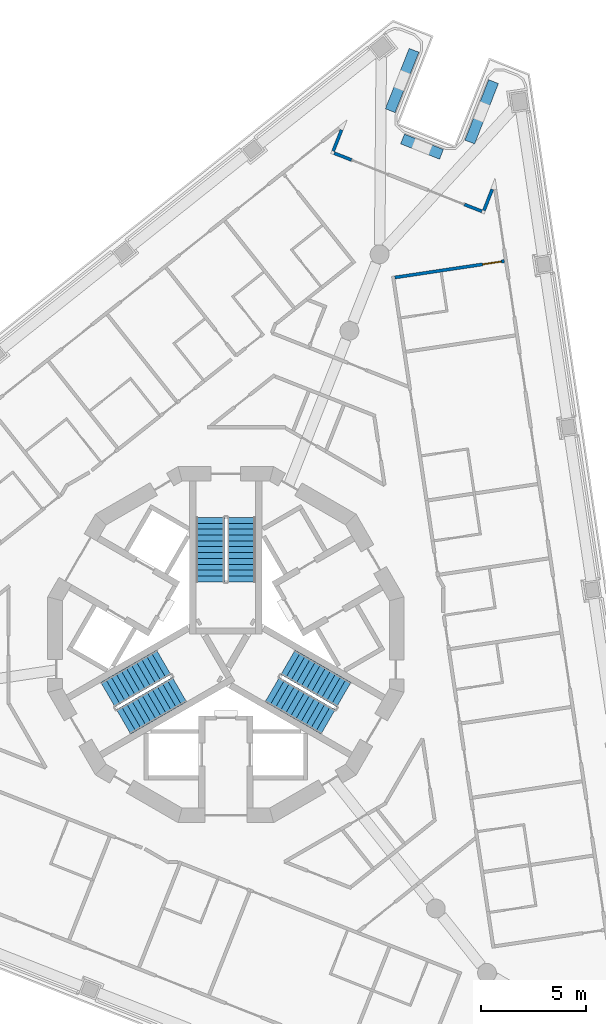
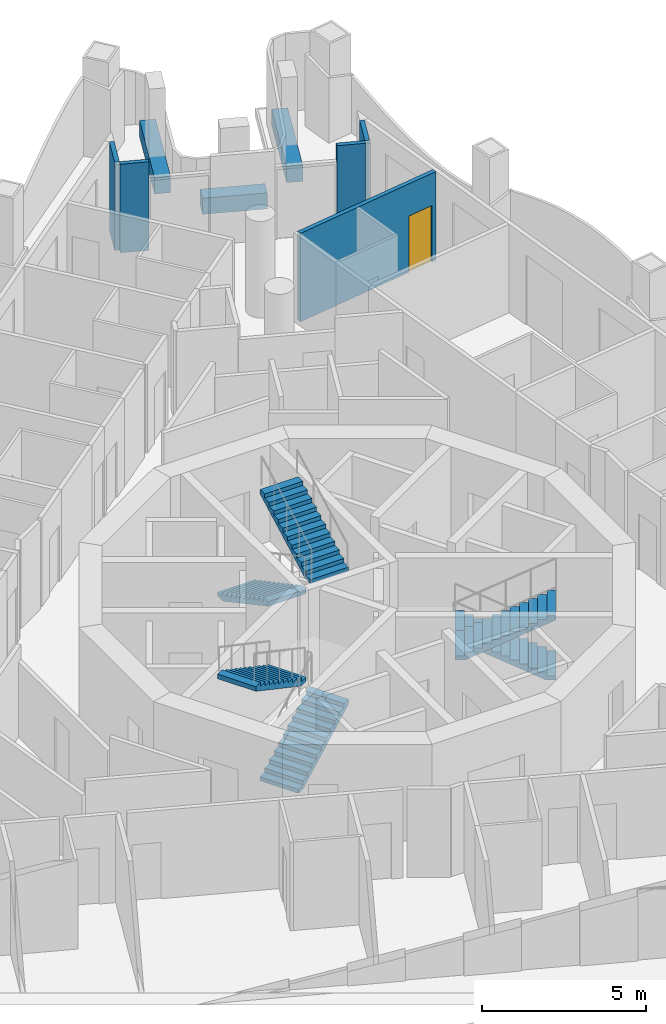
# One storey, part 10 of 17: 8 walls, 6 stair flights, 1 door, 1 opening, 3 elements without a shape of their own.
"""IFC4 building model written with IfcOpenShell, lengths in metres."""

from ifc_helpers import new_model, si_unit, direction, frame, frame_2d, origin, place, context, subcontext, project, spatial, polyline, rectangle, outline, extrude, material, layer, layer_set, type_object, element, fill, aggregate, save


model = new_model("IFC4")

# Units and contexts
model_context = context("Model", 3, precision=1e-05, world=origin(), true_north=direction((0.0, 1.0)))
body_context = subcontext(model_context, "Body", "Model", "MODEL_VIEW")
ifc_project = project(units=[si_unit("LENGTHUNIT", "METRE"), si_unit("AREAUNIT", "SQUARE_METRE"), si_unit("VOLUMEUNIT", "CUBIC_METRE"), si_unit("PLANEANGLEUNIT", "RADIAN"), si_unit("MASSUNIT", "GRAM", prefix="KILO")], contexts=[model_context])

# Site, building, storey
site_placement = place(None, origin())
site = spatial("IfcSite", under=ifc_project, at=site_placement, CompositionType="ELEMENT")
building_placement = place(site_placement, origin())
building = spatial("IfcBuilding", under=site, at=building_placement, Name="Trine Commons Tower", CompositionType="ELEMENT")
storey_placement = place(building_placement, frame((0.0, 0.0, 208.800048828125)))
storey = spatial("IfcBuildingStorey", under=building, at=storey_placement, Name="L54", CompositionType="ELEMENT", Elevation=208.800048828125)

# Walls
ifc_material_1 = material(Name="Aluminium-framed insulated wall panel", Category="aluminium")
ifc_layer_1 = layer(ifc_material_1, 0.14990234375)
ifc_layer_set_1 = layer_set([ifc_layer_1], Name="Aluminium-framed insulated wall panel")
wall_type_1 = type_object("IfcWallType", Name="Glazed frame wall 150, EI 60", PredefinedType="SOLIDWALL", material=ifc_layer_set_1)
wall_1_placement = place(storey_placement, frame((85.575927734375, 87.201171875, 0.0), z_axis=(0.0, 0.0, 1.0), x_axis=(-0.366472142006, -0.930429024232, 0.0)))
element("IfcWall", 1, at=wall_1_placement, inside=storey, type_object=wall_type_1, Name="Glazed frame wall R2", PredefinedType="SOLIDWALL", context=body_context, shape_type="SweptSolid", body=[
    extrude(outline(polyline([(0.1494140625, 0.074951171875), (0.1494140625, -0.074951171875), (1.235107421875, -0.074951171875), (1.235107421875, 0.074951171875), (0.1494140625, 0.074951171875)])), origin(), (0.0, 0.0, 1.0), 3.300048828125),
])
wall_2_placement = place(storey_placement, frame((85.063232421875, 85.9951171875, 0.0), z_axis=(0.0, 0.0, 1.0), x_axis=(0.930433620143, -0.366460473323, 0.0)))
element("IfcWall", 2, at=wall_2_placement, inside=storey, type_object=wall_type_1, Name="Glazed frame wall P1.1", PredefinedType="SOLIDWALL", context=body_context, shape_type="SweptSolid", body=[
    extrude(outline(polyline([(0.110107421875, -0.074951171875), (1.0, -0.074951171875), (1.0, 0.074951171875), (0.110107421875, 0.074951171875), (0.110107421875, -0.074951171875)])), origin(), (0.0, 0.0, 1.0), 3.300048828125),
])
wall_3_placement = place(storey_placement, frame((91.39013671875, 83.502685546875, 0.0), z_axis=(0.0, 0.0, 1.0), x_axis=(0.930433620143, -0.366460473323, 0.0)))
element("IfcWall", 3, at=wall_3_placement, inside=storey, type_object=wall_type_1, Name="Glazed frame wall P1.5", PredefinedType="SOLIDWALL", context=body_context, shape_type="SweptSolid", body=[
    extrude(outline(polyline([(0.889892578125, 0.074951171875), (0.0, 0.074951171875), (0.0, -0.074951171875), (0.889892578125, -0.074951171875), (0.889892578125, 0.074951171875)])), origin(), (0.0, 0.0, 1.0), 3.300048828125),
])
wall_4_placement = place(storey_placement, frame((92.275146484375, 83.11669921875, 0.0), z_axis=(0.0, 0.0, 1.0), x_axis=(0.366534042844, 0.9304046407, 0.0)))
element("IfcWall", 4, at=wall_4_placement, inside=storey, type_object=wall_type_1, Name="Glazed frame wall R4", PredefinedType="SOLIDWALL", context=body_context, shape_type="SweptSolid", body=[
    extrude(outline(polyline([(0.110107421875, 0.074951171875), (0.110107421875, -0.074951171875), (1.19580078125, -0.074951171875), (1.19580078125, 0.074951171875), (0.110107421875, 0.074951171875)])), origin(), (0.0, 0.0, 1.0), 3.300048828125),
])
ifc_material_2 = material(Name="Planter trough, precast concrete C40/50", Category="concrete")
ifc_layer_2 = layer(ifc_material_2, 0.5)
ifc_layer_set_2 = layer_set([ifc_layer_2], Name="Planter trough, precast concrete C40/50")
wall_type_2 = type_object("IfcWallType", Name="Planter trough 500x600", PredefinedType="PARAPET", material=ifc_layer_set_2)
wall_5_placement = place(storey_placement, frame((88.97998046875, 90.86328125, 0.0), z_axis=(0.0, 0.0, 1.0), x_axis=(-0.366456340628, -0.930435247835, 0.0)))
element("IfcWall", 5, at=wall_5_placement, inside=storey, type_object=wall_type_2, Name="Planter 4", PredefinedType="PARAPET", context=body_context, shape_type="SweptSolid", body=[
    extrude(rectangle(XDim=3.099853515625, YDim=0.5, at=frame_2d((1.5498046875, 0.0))), origin(), (0.0, 0.0, 1.0), 0.599853515625),
])
wall_6_placement = place(storey_placement, frame((88.430419921875, 86.630126953125, 0.0), z_axis=(0.0, 0.0, 1.0), x_axis=(0.930417223886, -0.366502100263, 0.0)))
element("IfcWall", 6, at=wall_6_placement, inside=storey, type_object=wall_type_2, Name="Planter 5", PredefinedType="PARAPET", context=body_context, shape_type="SweptSolid", body=[
    extrude(rectangle(XDim=1.999755859375, YDim=0.5, at=frame_2d((1.0, 0.0))), origin(), (0.0, 0.0, 1.0), 0.599853515625),
])
wall_7_placement = place(storey_placement, frame((91.639892578125, 86.483642578125, 0.0), z_axis=(0.0, 0.0, 1.0), x_axis=(0.366524518382, 0.930408392817, 0.0)))
element("IfcWall", 7, at=wall_7_placement, inside=storey, type_object=wall_type_2, Name="Planter 6", PredefinedType="PARAPET", context=body_context, shape_type="SweptSolid", body=[
    extrude(rectangle(XDim=3.10009765625, YDim=0.5, at=frame_2d((1.550048828125, 0.0))), origin(), (0.0, 0.0, 1.0), 0.599853515625),
])

# Wall, opening, door
ifc_material_3 = material(Name="Gypsum plasterboard on steel stud", Category="steel")
ifc_layer_3 = layer(ifc_material_3, 0.14990234375)
ifc_layer_set_3 = layer_set([ifc_layer_3], Name="Gypsum plasterboard on steel stud")
wall_type_3 = type_object("IfcWallType", Name="Unit and corridor wall 150 mm, EI 60", PredefinedType="PARTITIONING", material=ifc_layer_set_3)
wall_8_placement = place(storey_placement, frame((88.064208984375, 80.02099609375, 0.0), z_axis=(0.0, 0.0, 1.0), x_axis=(0.988994889639, 0.147949681543, 0.0)))
wall_8 = element("IfcWall", 8, at=wall_8_placement, inside=storey, type_object=wall_type_3, Name="Partition 105", PredefinedType="PARTITIONING", context=body_context, shape_type="SweptSolid", body=[
    extrude(rectangle(XDim=5.285400390625, YDim=0.14990234375, at=frame_2d((2.642578125, 0.0))), origin(), (0.0, 0.0, 1.0), 3.300048828125),
])
opening_placement = place(wall_8_placement, frame((4.2353515625, 0.0, 0.0)))
opening = element("IfcOpeningElement", 9, at=opening_placement, cuts=wall_8, Name="Opening D-6B13", PredefinedType="OPENING", context=body_context, shape_type="SweptSolid", body=[
    extrude(rectangle(XDim=0.89990234375, YDim=2.10009765625, at=frame_2d((0.449951171875, 1.050048828125))), frame((0.0, 0.0849609375, 0.0), z_axis=(0.0, -1.0, 0.0), x_axis=(1.0, 0.0, 0.0)), (0.0, 0.0, 1.0), 0.169921875),
])
ifc_material_4 = material(Name="Timber fire door set", Category="wood")
door_type = type_object("IfcDoorType", Name="Bedroom door 900 x 2100, FD30S", OperationType="NOTDEFINED", PredefinedType="DOOR", material=ifc_material_4)
door_placement = place(opening_placement, frame((0.89990234375, 0.0, 0.0), z_axis=(0.0, 0.0, 1.0), x_axis=(-1.0, 0.0, 0.0)))
door = element("IfcDoor", 10, at=door_placement, inside=storey, type_object=door_type, Name="Door D-6B13", OperationType="SINGLE_SWING_LEFT", OverallHeight=2.10009765625, OverallWidth=0.89990234375, PredefinedType="DOOR", context=body_context, shape_type="SweptSolid", body=[
    extrude(rectangle(XDim=0.89990234375, YDim=2.10009765625, at=frame_2d((0.449951171875, 1.050048828125))), frame((0.0, 0.02490234375, 0.0), z_axis=(0.0, -1.0, 0.0), x_axis=(1.0, 0.0, 0.0)), (0.0, 0.0, 1.0), 0.050048828125),
])
fill(opening, door)

# Stair, stair flights
ifc_material_5 = material(Name="Concrete C50/60", Category="concrete")
stair_type = type_object("IfcStairType", Name="Exit stair, dog-leg, 24 risers of 150 mm", PredefinedType="HALF_TURN_STAIR", material=ifc_material_5)
stair_1_placement = place(storey_placement, origin())
stair_1 = element("IfcStair", 11, at=stair_1_placement, inside=storey, type_object=stair_type, Name="L54 Exit stair ST1C", PredefinedType="HALF_TURN_STAIR")
stair_flight_type = type_object("IfcStairFlightType", Name="Stair flight, 1350 wide, 12 risers of 150 mm", PredefinedType="STRAIGHT", material=ifc_material_5)
stair_flight_1_placement = place(storey_placement, frame((79.25, 68.570556640625, 0.0), z_axis=(0.0, 0.0, 1.0), x_axis=(0.0, -1.0, 0.0)))
stair_flight_1 = element("IfcStairFlight", 12, at=stair_flight_1_placement, type_object=stair_flight_type, Name="ST1C flight 1", NumberOfRisers=12, NumberOfTreads=11, PredefinedType="STRAIGHT", RiserHeight=0.15, TreadLength=0.28, context=body_context, shape_type="SweptSolid", body=[
    extrude(outline(polyline([(0.0, 0.0), (0.0, 0.14990234375), (0.280029296875, 0.14990234375), (0.280029296875, 0.300048828125), (0.56005859375, 0.300048828125), (0.56005859375, 0.449951171875), (0.840087890625, 0.449951171875), (0.840087890625, 0.60009765625), (1.1201171875, 0.60009765625), (1.1201171875, 0.75), (1.39990234375, 0.75), (1.39990234375, 0.89990234375), (1.679931640625, 0.89990234375), (1.679931640625, 1.050048828125), (1.9599609375, 1.050048828125), (1.9599609375, 1.199951171875), (2.239990234375, 1.199951171875), (2.239990234375, 1.35009765625), (2.52001953125, 1.35009765625), (2.52001953125, 1.5), (2.800048828125, 1.5), (2.800048828125, 1.64990234375), (3.080078125, 1.64990234375), (3.080078125, 1.800048828125), (3.080078125, 1.47998046875), (0.3173828125, 0.0), (0.0, 0.0)])), frame((0.0, 0.675048828125, 0.0), z_axis=(0.0, -1.0, 0.0), x_axis=(1.0, 0.0, 0.0)), (0.0, 0.0, 1.0), 1.35009765625),
])
stair_flight_2_placement = place(storey_placement, frame((80.75, 65.490478515625, 1.800048828125), z_axis=(0.0, 0.0, 1.0), x_axis=(0.0, 1.0, 0.0)))
stair_flight_2 = element("IfcStairFlight", 13, at=stair_flight_2_placement, type_object=stair_flight_type, Name="ST1C flight 2", NumberOfRisers=12, NumberOfTreads=11, PredefinedType="STRAIGHT", RiserHeight=0.15, TreadLength=0.28, context=body_context, shape_type="SweptSolid", body=[
    extrude(outline(polyline([(0.0, 0.0), (0.0, 0.14990234375), (0.280029296875, 0.14990234375), (0.280029296875, 0.300048828125), (0.56005859375, 0.300048828125), (0.56005859375, 0.449951171875), (0.840087890625, 0.449951171875), (0.840087890625, 0.60009765625), (1.1201171875, 0.60009765625), (1.1201171875, 0.75), (1.39990234375, 0.75), (1.39990234375, 0.89990234375), (1.679931640625, 0.89990234375), (1.679931640625, 1.050048828125), (1.9599609375, 1.050048828125), (1.9599609375, 1.199951171875), (2.239990234375, 1.199951171875), (2.239990234375, 1.35009765625), (2.52001953125, 1.35009765625), (2.52001953125, 1.5), (2.800048828125, 1.5), (2.800048828125, 1.64990234375), (3.080078125, 1.64990234375), (3.080078125, 1.800048828125), (3.080078125, 1.47998046875), (0.3173828125, 0.0), (0.0, 0.0)])), frame((0.0, 0.675048828125, 0.0), z_axis=(0.0, -1.0, 0.0), x_axis=(1.0, 0.0, 0.0)), (0.0, 0.0, 1.0), 1.35009765625),
])
aggregate(stair_1, [stair_flight_1, stair_flight_2])

stair_2_placement = place(storey_placement, origin())
stair_2 = element("IfcStair", 14, at=stair_2_placement, inside=storey, type_object=stair_type, Name="L54 Exit stair ST2C", PredefinedType="HALF_TURN_STAIR")
stair_flight_3_placement = place(storey_placement, frame((75.11767578125, 58.815185546875, 0.0), z_axis=(0.0, 0.0, 1.0), x_axis=(0.866025403784, 0.5, 0.0)))
stair_flight_3 = element("IfcStairFlight", 15, at=stair_flight_3_placement, type_object=stair_flight_type, Name="ST2C flight 1", NumberOfRisers=12, NumberOfTreads=11, PredefinedType="STRAIGHT", RiserHeight=0.15, TreadLength=0.28, context=body_context, shape_type="SweptSolid", body=[
    extrude(outline(polyline([(0.0, 0.0), (0.0, 0.14990234375), (0.280029296875, 0.14990234375), (0.280029296875, 0.300048828125), (0.56005859375, 0.300048828125), (0.56005859375, 0.449951171875), (0.840087890625, 0.449951171875), (0.840087890625, 0.60009765625), (1.1201171875, 0.60009765625), (1.1201171875, 0.75), (1.39990234375, 0.75), (1.39990234375, 0.89990234375), (1.679931640625, 0.89990234375), (1.679931640625, 1.050048828125), (1.9599609375, 1.050048828125), (1.9599609375, 1.199951171875), (2.239990234375, 1.199951171875), (2.239990234375, 1.35009765625), (2.52001953125, 1.35009765625), (2.52001953125, 1.5), (2.800048828125, 1.5), (2.800048828125, 1.64990234375), (3.080078125, 1.64990234375), (3.080078125, 1.800048828125), (3.080078125, 1.47998046875), (0.3173828125, 0.0), (0.0, 0.0)])), frame((0.0, 0.675048828125, 0.0), z_axis=(0.0, -1.0, 0.0), x_axis=(1.0, 0.0, 0.0)), (0.0, 0.0, 1.0), 1.35009765625),
])
stair_flight_4_placement = place(storey_placement, frame((77.03515625, 61.654296875, 1.800048828125), z_axis=(0.0, 0.0, 1.0), x_axis=(-0.866025403784, -0.5, 0.0)))
stair_flight_4 = element("IfcStairFlight", 16, at=stair_flight_4_placement, type_object=stair_flight_type, Name="ST2C flight 2", NumberOfRisers=12, NumberOfTreads=11, PredefinedType="STRAIGHT", RiserHeight=0.15, TreadLength=0.28, context=body_context, shape_type="SweptSolid", body=[
    extrude(outline(polyline([(0.0, 0.0), (0.0, 0.14990234375), (0.280029296875, 0.14990234375), (0.280029296875, 0.300048828125), (0.56005859375, 0.300048828125), (0.56005859375, 0.449951171875), (0.840087890625, 0.449951171875), (0.840087890625, 0.60009765625), (1.1201171875, 0.60009765625), (1.1201171875, 0.75), (1.39990234375, 0.75), (1.39990234375, 0.89990234375), (1.679931640625, 0.89990234375), (1.679931640625, 1.050048828125), (1.9599609375, 1.050048828125), (1.9599609375, 1.199951171875), (2.239990234375, 1.199951171875), (2.239990234375, 1.35009765625), (2.52001953125, 1.35009765625), (2.52001953125, 1.5), (2.800048828125, 1.5), (2.800048828125, 1.64990234375), (3.080078125, 1.64990234375), (3.080078125, 1.800048828125), (3.080078125, 1.47998046875), (0.3173828125, 0.0), (0.0, 0.0)])), frame((0.0, 0.675048828125, 0.0), z_axis=(0.0, -1.0, 0.0), x_axis=(1.0, 0.0, 0.0)), (0.0, 0.0, 1.0), 1.35009765625),
])
aggregate(stair_2, [stair_flight_3, stair_flight_4])

stair_3_placement = place(storey_placement, origin())
stair_3 = element("IfcStair", 17, at=stair_3_placement, inside=storey, type_object=stair_type, Name="L54 Exit stair ST3C", PredefinedType="HALF_TURN_STAIR")
stair_flight_5_placement = place(storey_placement, frame((85.63232421875, 60.1142578125, 0.0), z_axis=(0.0, 0.0, 1.0), x_axis=(-0.866025403784, 0.5, 0.0)))
stair_flight_5 = element("IfcStairFlight", 18, at=stair_flight_5_placement, type_object=stair_flight_type, Name="ST3C flight 1", NumberOfRisers=12, NumberOfTreads=11, PredefinedType="STRAIGHT", RiserHeight=0.15, TreadLength=0.28, context=body_context, shape_type="SweptSolid", body=[
    extrude(outline(polyline([(0.0, 0.0), (0.0, 0.14990234375), (0.280029296875, 0.14990234375), (0.280029296875, 0.300048828125), (0.56005859375, 0.300048828125), (0.56005859375, 0.449951171875), (0.840087890625, 0.449951171875), (0.840087890625, 0.60009765625), (1.1201171875, 0.60009765625), (1.1201171875, 0.75), (1.39990234375, 0.75), (1.39990234375, 0.89990234375), (1.679931640625, 0.89990234375), (1.679931640625, 1.050048828125), (1.9599609375, 1.050048828125), (1.9599609375, 1.199951171875), (2.239990234375, 1.199951171875), (2.239990234375, 1.35009765625), (2.52001953125, 1.35009765625), (2.52001953125, 1.5), (2.800048828125, 1.5), (2.800048828125, 1.64990234375), (3.080078125, 1.64990234375), (3.080078125, 1.800048828125), (3.080078125, 1.47998046875), (0.3173828125, 0.0), (0.0, 0.0)])), frame((0.0, 0.675048828125, 0.0), z_axis=(0.0, -1.0, 0.0), x_axis=(1.0, 0.0, 0.0)), (0.0, 0.0, 1.0), 1.35009765625),
])
stair_flight_6_placement = place(storey_placement, frame((82.21484375, 60.355224609375, 1.800048828125), z_axis=(0.0, 0.0, 1.0), x_axis=(0.866025403784, -0.5, 0.0)))
stair_flight_6 = element("IfcStairFlight", 19, at=stair_flight_6_placement, type_object=stair_flight_type, Name="ST3C flight 2", NumberOfRisers=12, NumberOfTreads=11, PredefinedType="STRAIGHT", RiserHeight=0.15, TreadLength=0.28, context=body_context, shape_type="SweptSolid", body=[
    extrude(outline(polyline([(0.0, 0.0), (0.0, 0.14990234375), (0.280029296875, 0.14990234375), (0.280029296875, 0.300048828125), (0.56005859375, 0.300048828125), (0.56005859375, 0.449951171875), (0.840087890625, 0.449951171875), (0.840087890625, 0.60009765625), (1.1201171875, 0.60009765625), (1.1201171875, 0.75), (1.39990234375, 0.75), (1.39990234375, 0.89990234375), (1.679931640625, 0.89990234375), (1.679931640625, 1.050048828125), (1.9599609375, 1.050048828125), (1.9599609375, 1.199951171875), (2.239990234375, 1.199951171875), (2.239990234375, 1.35009765625), (2.52001953125, 1.35009765625), (2.52001953125, 1.5), (2.800048828125, 1.5), (2.800048828125, 1.64990234375), (3.080078125, 1.64990234375), (3.080078125, 1.800048828125), (3.080078125, 1.47998046875), (0.3173828125, 0.0), (0.0, 0.0)])), frame((0.0, 0.675048828125, 0.0), z_axis=(0.0, -1.0, 0.0), x_axis=(1.0, 0.0, 0.0)), (0.0, 0.0, 1.0), 1.35009765625),
])
aggregate(stair_3, [stair_flight_5, stair_flight_6])

save(model, "model.ifc")
